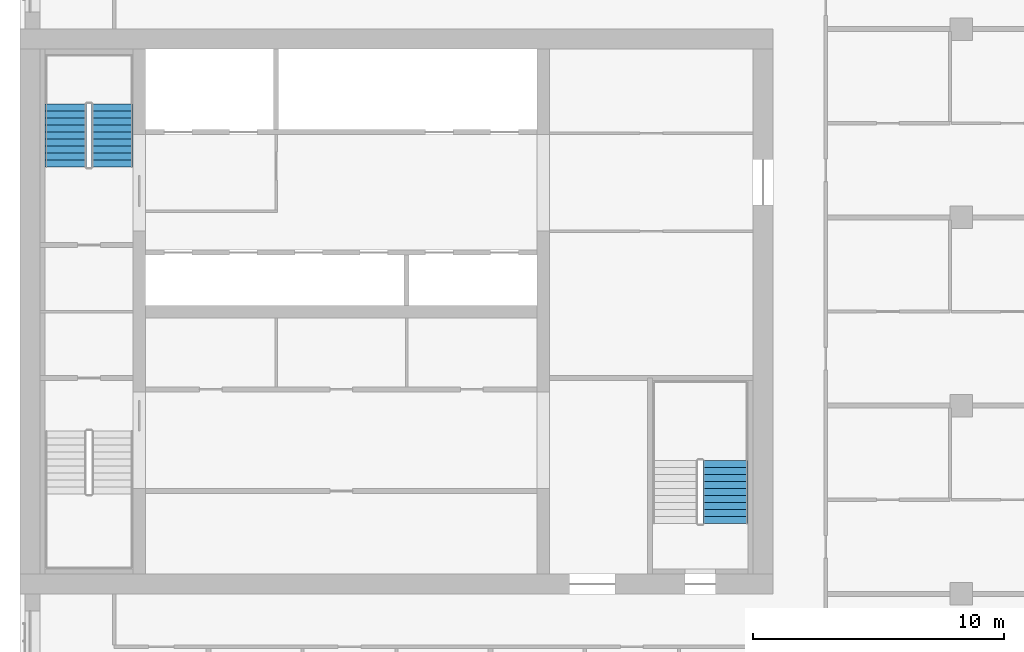
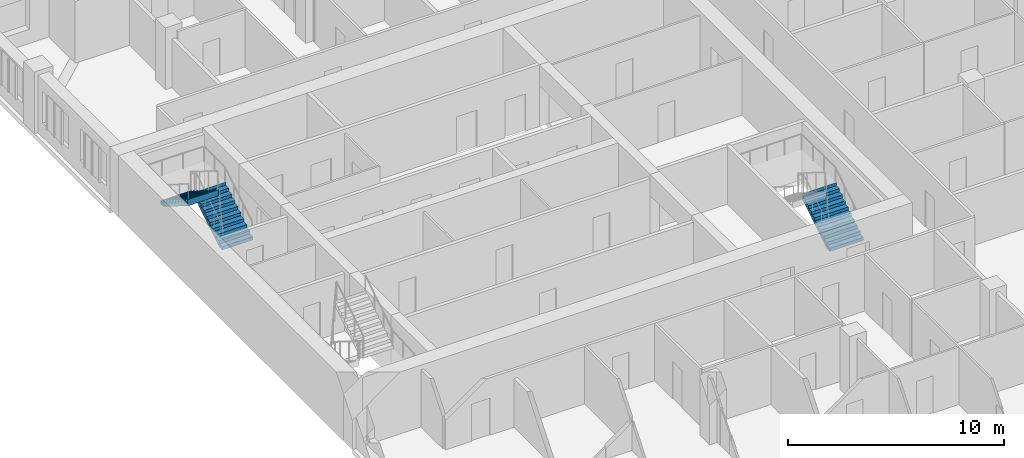
# One storey, part 13 of 14: 3 stair flights, 2 elements without a shape of their own.
"""IFC4 building model written with IfcOpenShell, lengths in metres."""

import ifcopenshell
import ifcopenshell.guid

model = None  # the IFC model being written
_history = None  # IfcOwnerHistory: only IFC2X3 demands one
_inside = {}  # id of a spatial element -> (the spatial element, [elements in it])
_under = {}  # id of a project, library or spatial element -> (it, [spatial elements below it])
_declared = {}  # id of a project -> (the project, [libraries it declares])
_typed = {}  # id of a type object -> (the type object, [elements of that type])
_made_of = {}  # id of a material, layer set ... -> (it, [elements and type objects made of it])


def new_model(schema):
    """Start an empty IFC model of exactly this schema.

    Asked for "IFC4X3", IfcOpenShell would pick the latest addendum, in which some entities
    have other attributes; the version numbers below select the first issue.
    IFC2X3 requires an IfcOwnerHistory on every rooted entity: one is made here for all.
    """
    global model, _history
    if schema == "IFC4X3":
        model = ifcopenshell.file(schema_version=(4, 3, 0, 0))
    else:
        model = ifcopenshell.file(schema=schema)
    _inside.clear()
    _under.clear()
    _declared.clear()
    _typed.clear()
    _made_of.clear()
    _history = None
    if model.schema == "IFC2X3":
        org = make("IfcOrganization", Name="unknown")
        user = make(
            "IfcPersonAndOrganization",
            ThePerson=make("IfcPerson", FamilyName="unknown"),
            TheOrganization=org,
        )
        app = make(
            "IfcApplication",
            ApplicationDeveloper=org,
            Version="unknown",
            ApplicationFullName="unknown",
            ApplicationIdentifier="unknown",
        )
        _history = make(
            "IfcOwnerHistory",
            OwningUser=user,
            OwningApplication=app,
            ChangeAction="ADDED",
            CreationDate=0,
        )
    return model


def make(cls, **values):
    """One entity of the class cls with the attributes given. An attribute that is None is left unset."""
    return model.create_entity(
        cls, **{name: value for name, value in values.items() if value is not None}
    )


def rooted(cls, **values):
    """An entity with a GlobalId (a new one), such as an element, a storey or a relation."""
    return make(cls, GlobalId=ifcopenshell.guid.new(), OwnerHistory=_history, **values)


def si_unit(unit_type, name, prefix=None):
    """IfcSIUnit, for example si_unit("LENGTHUNIT", "METRE", prefix="MILLI")."""
    return make("IfcSIUnit", UnitType=unit_type, Prefix=prefix, Name=name)


def assignment(units):
    """IfcUnitAssignment: the units of a project."""
    return None if units is None else make("IfcUnitAssignment", Units=units)


def point(xyz):
    """IfcCartesianPoint."""
    return None if xyz is None else make("IfcCartesianPoint", Coordinates=xyz)


def direction(xyz):
    """IfcDirection."""
    return None if xyz is None else make("IfcDirection", DirectionRatios=xyz)


def frame(location, z_axis=None, x_axis=None):
    """IfcAxis2Placement3D, a coordinate frame: its origin and axes. An axis left out is left unset."""
    return make(
        "IfcAxis2Placement3D",
        Location=point(location),
        Axis=direction(z_axis),
        RefDirection=direction(x_axis),
    )


def origin():
    """The frame at (0, 0, 0) with its axes left unset."""
    return frame((0.0, 0.0, 0.0))


def place(relative_to, where):
    """IfcLocalPlacement: puts the frame where relative to a parent placement (None: the world)."""
    return make(
        "IfcLocalPlacement", PlacementRelTo=relative_to, RelativePlacement=where
    )


def context(
    kind, dimensions, precision=None, world=None, true_north=None, identifier=None
):
    """IfcGeometricRepresentationContext, for example the 3D "Model" context."""
    return make(
        "IfcGeometricRepresentationContext",
        ContextIdentifier=identifier,
        ContextType=kind,
        CoordinateSpaceDimension=dimensions,
        Precision=precision,
        WorldCoordinateSystem=world,
        TrueNorth=true_north,
    )


def subcontext(parent, identifier, kind, view, scale=None):
    """IfcGeometricRepresentationSubContext, for example "Body" below "Model"."""
    return make(
        "IfcGeometricRepresentationSubContext",
        ContextIdentifier=identifier,
        ContextType=kind,
        ParentContext=parent,
        TargetScale=scale,
        TargetView=view,
    )


def project(units=None, contexts=None):
    """IfcProject with its units and contexts."""
    return rooted(
        "IfcProject",
        Name="project",
        RepresentationContexts=contexts,
        UnitsInContext=assignment(units),
    )


def spatial(cls, under=None, at=None, **own):
    """A site, building, storey or space (cls), placed at a placement, below another one or the project."""
    s = rooted(cls, ObjectPlacement=at, **own)
    if under is not None:
        _under.setdefault(under.id(), (under, []))[1].append(s)
    return s


def polyline(points):
    """IfcPolyline through the points."""
    return make("IfcPolyline", Points=[point(p) for p in points])


def outline(outer, holes=None, kind="AREA"):
    """IfcArbitraryClosedProfileDef: a profile drawn as a closed curve; with holes, ...WithVoids."""
    if holes is None:
        return make("IfcArbitraryClosedProfileDef", ProfileType=kind, OuterCurve=outer)
    return make(
        "IfcArbitraryProfileDefWithVoids",
        ProfileType=kind,
        OuterCurve=outer,
        InnerCurves=holes,
    )


def extrude(swept, where, along, depth):
    """IfcExtrudedAreaSolid: the profile swept, set in the frame where, extruded along a direction by depth."""
    return make(
        "IfcExtrudedAreaSolid",
        SweptArea=swept,
        Position=where,
        ExtrudedDirection=direction(along),
        Depth=depth,
    )


def shape(context_of_items, identifier, shape_type, items):
    """IfcShapeRepresentation: the items that make up one representation, for example the "Body"."""
    return make(
        "IfcShapeRepresentation",
        ContextOfItems=context_of_items,
        RepresentationIdentifier=identifier,
        RepresentationType=shape_type,
        Items=items,
    )


def material(Name=None, Category=None):
    """IfcMaterial."""
    return make("IfcMaterial", Name=Name, Category=Category)


def made_of(thing, what):
    """Note that an element or type object is made of a material, layer set ...; save() writes the relation."""
    if what is not None:
        _made_of.setdefault(what.id(), (what, []))[1].append(thing)
    return thing


def type_object(cls, material=None, **own):
    """A type object (cls), such as IfcWallType, which elements share."""
    return made_of(rooted(cls, **own), material)


def element(
    cls,
    number,
    at=None,
    inside=None,
    cuts=None,
    type_object=None,
    material=None,
    context=None,
    identifier="Body",
    shape_type=None,
    held_by="IfcProductDefinitionShape",
    body=None,
    shapes=None,
    **own,
):
    """One element of the class cls, such as IfcWall. Its Tag is "e" and its number.

    at: its placement. inside: the storey or other place that contains it. cuts: it is an
    opening in that element (IfcRelVoidsElement). A single representation is given by context,
    identifier, shape_type and body (its items); several are given by shapes. held_by: the class
    of the entity that holds the representations. save() writes the other relations.
    """
    e = rooted(cls, Tag="e%d" % number, ObjectPlacement=at, **own)
    if body is not None:
        shapes = [shape(context, identifier, shape_type, body)]
    if shapes is not None:
        e.Representation = make(held_by, Representations=shapes)
    if inside is not None:
        _inside.setdefault(inside.id(), (inside, []))[1].append(e)
    if cuts is not None:
        rooted(
            "IfcRelVoidsElement", RelatingBuildingElement=cuts, RelatedOpeningElement=e
        )
    if type_object is not None:
        _typed.setdefault(type_object.id(), (type_object, []))[1].append(e)
    return made_of(e, material)


def aggregate(whole, parts):
    """IfcRelAggregates: a whole, such as a stair, and the parts it consists of."""
    return rooted("IfcRelAggregates", RelatingObject=whole, RelatedObjects=parts)


def save(model, path):
    """Write the relations noted so far, then the file.

    IfcRelAggregates (storeys below a building ...), IfcRelContainedInSpatialStructure (elements
    in a storey), IfcRelDefinesByType, IfcRelAssociatesMaterial and IfcRelDeclares: one each for
    every whole, place, type object, material and project.
    """
    for whole, parts in _under.values():
        aggregate(whole, parts)
    for where, things in _inside.values():
        rooted(
            "IfcRelContainedInSpatialStructure",
            RelatedElements=things,
            RelatingStructure=where,
        )
    for kind, things in _typed.values():
        rooted("IfcRelDefinesByType", RelatedObjects=things, RelatingType=kind)
    for what, things in _made_of.values():
        rooted("IfcRelAssociatesMaterial", RelatedObjects=things, RelatingMaterial=what)
    for by, libraries in _declared.values():
        rooted("IfcRelDeclares", RelatingContext=by, RelatedDefinitions=libraries)
    model.write(path)


model = new_model("IFC4")

# Units and contexts
model_context = context("Model", 3, precision=1e-05, world=origin(), true_north=direction((0.0, 1.0)))
body_context = subcontext(model_context, "Body", "Model", "MODEL_VIEW")
ifc_project = project(units=[si_unit("LENGTHUNIT", "METRE"), si_unit("AREAUNIT", "SQUARE_METRE"), si_unit("VOLUMEUNIT", "CUBIC_METRE"), si_unit("PLANEANGLEUNIT", "RADIAN"), si_unit("MASSUNIT", "GRAM", prefix="KILO")], contexts=[model_context])

# Site, building, storey
site_placement = place(None, origin())
site = spatial("IfcSite", under=ifc_project, at=site_placement, CompositionType="ELEMENT")
building_placement = place(site_placement, origin())
building = spatial("IfcBuilding", under=site, at=building_placement, Name="Tamorin Gate", CompositionType="ELEMENT")
storey_placement = place(building_placement, frame((0.0, 0.0, 182.699951171875)))
storey = spatial("IfcBuildingStorey", under=building, at=storey_placement, Name="L44", CompositionType="ELEMENT", Elevation=182.699951171875)

# Stair, stair flights
ifc_material = material(Name="Concrete C40/50", Category="concrete")
stair_type = type_object("IfcStairType", Name="Exit stair", PredefinedType="HALF_TURN_STAIR", material=ifc_material)
stair_1_placement = place(storey_placement, origin())
stair_1 = element("IfcStair", 1, at=stair_1_placement, inside=storey, type_object=stair_type, Name="L44 stair ST2", PredefinedType="HALF_TURN_STAIR")
stair_flight_type = type_object("IfcStairFlightType", Name="Exit stair flight", PredefinedType="STRAIGHT", material=ifc_material)
stair_flight_1_placement = place(storey_placement, frame((33.675048828125, 77.0, 0.0), z_axis=(0.0, 0.0, 1.0), x_axis=(0.0, 1.0, 0.0)))
stair_flight_1 = element("IfcStairFlight", 2, at=stair_flight_1_placement, type_object=stair_flight_type, Name="ST2 flight 1", NumberOfRisers=10, NumberOfTreads=9, PredefinedType="STRAIGHT", RiserHeight=0.175, TreadLength=0.28, context=body_context, shape_type="SweptSolid", body=[
    extrude(outline(polyline([(-0.00048828125, 0.0), (-0.00048828125, 0.001708984375), (-0.00048828125, 0.00341796875), (-0.00048828125, 0.005126953125), (-0.00048828125, 0.0068359375), (-0.00048828125, 0.008544921875), (-0.00048828125, 0.010498046875), (-0.00048828125, 0.01220703125), (-0.00048828125, 0.013916015625), (-0.00048828125, 0.015625), (-0.00048828125, 0.017333984375), (-0.00048828125, 0.01904296875), (-0.00048828125, 0.020751953125), (-0.00048828125, 0.0224609375), (-0.00048828125, 0.024169921875), (-0.00048828125, 0.02587890625), (-0.00048828125, 0.02783203125), (-0.00048828125, 0.029541015625), (-0.00048828125, 0.03125), (-0.00048828125, 0.032958984375), (-0.00048828125, 0.03466796875), (-0.00048828125, 0.036376953125), (-0.00048828125, 0.0380859375), (-0.00048828125, 0.039794921875), (-0.00048828125, 0.04150390625), (-0.00048828125, 0.043212890625), (-0.00048828125, 0.045166015625), (-0.00048828125, 0.046875), (-0.00048828125, 0.048583984375), (-0.00048828125, 0.05029296875), (-0.00048828125, 0.052001953125), (-0.00048828125, 0.0537109375), (-0.00048828125, 0.055419921875), (-0.00048828125, 0.05712890625), (-0.00048828125, 0.058837890625), (-0.00048828125, 0.060546875), (-0.00048828125, 0.062255859375), (-0.00048828125, 0.064208984375), (-0.00048828125, 0.06591796875), (-0.00048828125, 0.067626953125), (-0.00048828125, 0.0693359375), (-0.00048828125, 0.071044921875), (-0.00048828125, 0.07275390625), (-0.00048828125, 0.074462890625), (-0.00048828125, 0.076171875), (-0.00048828125, 0.077880859375), (-0.00048828125, 0.07958984375), (-0.00048828125, 0.08154296875), (-0.00048828125, 0.083251953125), (-0.00048828125, 0.0849609375), (-0.00048828125, 0.086669921875), (-0.00048828125, 0.08837890625), (-0.00048828125, 0.090087890625), (-0.00048828125, 0.091796875), (-0.00048828125, 0.093505859375), (-0.00048828125, 0.09521484375), (-0.00048828125, 0.096923828125), (-0.00048828125, 0.098876953125), (-0.00048828125, 0.1005859375), (-0.00048828125, 0.102294921875), (-0.00048828125, 0.10400390625), (-0.00048828125, 0.105712890625), (-0.00048828125, 0.107421875), (-0.00048828125, 0.109130859375), (-0.00048828125, 0.11083984375), (-0.00048828125, 0.112548828125), (-0.00048828125, 0.1142578125), (-0.00048828125, 0.1162109375), (-0.00048828125, 0.117919921875), (-0.00048828125, 0.11962890625), (-0.00048828125, 0.121337890625), (-0.00048828125, 0.123046875), (-0.00048828125, 0.124755859375), (-0.00048828125, 0.12646484375), (-0.00048828125, 0.128173828125), (-0.00048828125, 0.1298828125), (-0.00048828125, 0.131591796875), (-0.00048828125, 0.13330078125), (-0.00048828125, 0.13525390625), (-0.00048828125, 0.136962890625), (-0.00048828125, 0.138671875), (-0.00048828125, 0.140380859375), (-0.00048828125, 0.14208984375), (-0.00048828125, 0.143798828125), (-0.00048828125, 0.1455078125), (-0.00048828125, 0.147216796875), (-0.00048828125, 0.14892578125), (-0.00048828125, 0.150634765625), (-0.00048828125, 0.152587890625), (-0.00048828125, 0.154296875), (-0.00048828125, 0.156005859375), (-0.00048828125, 0.15771484375), (-0.00048828125, 0.159423828125), (-0.00048828125, 0.1611328125), (-0.00048828125, 0.162841796875), (-0.00048828125, 0.16455078125), (-0.00048828125, 0.166259765625), (-0.00048828125, 0.16796875), (-0.00048828125, 0.169921875), (-0.00048828125, 0.171630859375), (-0.00048828125, 0.17333984375), (-0.00048828125, 0.175048828125), (0.280029296875, 0.175048828125), (0.280029296875, 0.35009765625), (0.56005859375, 0.35009765625), (0.56005859375, 0.52490234375), (0.840087890625, 0.52490234375), (0.840087890625, 0.699951171875), (1.1201171875, 0.699951171875), (1.1201171875, 0.875), (1.39990234375, 0.875), (1.39990234375, 1.050048828125), (1.679931640625, 1.050048828125), (1.679931640625, 1.22509765625), (1.9599609375, 1.22509765625), (1.9599609375, 1.39990234375), (2.239990234375, 1.39990234375), (2.239990234375, 1.574951171875), (2.52001953125, 1.574951171875), (2.52001953125, 1.75), (2.5205078125, 1.75), (2.5205078125, 1.74658203125), (2.5205078125, 1.742919921875), (2.5205078125, 1.739501953125), (2.5205078125, 1.736083984375), (2.5205078125, 1.732666015625), (2.5205078125, 1.72900390625), (2.5205078125, 1.7255859375), (2.5205078125, 1.72216796875), (2.5205078125, 1.71875), (2.5205078125, 1.715087890625), (2.5205078125, 1.711669921875), (2.5205078125, 1.708251953125), (2.5205078125, 1.704833984375), (2.5205078125, 1.701171875), (2.5205078125, 1.69775390625), (2.5205078125, 1.6943359375), (2.5205078125, 1.690673828125), (2.5205078125, 1.687255859375), (2.5205078125, 1.683837890625), (2.5205078125, 1.680419921875), (2.5205078125, 1.6767578125), (2.5205078125, 1.67333984375), (2.5205078125, 1.669921875), (2.5205078125, 1.66650390625), (2.5205078125, 1.662841796875), (2.5205078125, 1.659423828125), (2.5205078125, 1.656005859375), (2.5205078125, 1.652587890625), (2.5205078125, 1.64892578125), (2.5205078125, 1.6455078125), (2.5205078125, 1.64208984375), (2.5205078125, 1.638427734375), (2.5205078125, 1.635009765625), (2.5205078125, 1.631591796875), (2.5205078125, 1.628173828125), (2.5205078125, 1.62451171875), (2.5205078125, 1.62109375), (2.5205078125, 1.61767578125), (2.5205078125, 1.6142578125), (2.5205078125, 1.610595703125), (2.5205078125, 1.607177734375), (2.5205078125, 1.603759765625), (2.5205078125, 1.600341796875), (2.5205078125, 1.5966796875), (2.5205078125, 1.59326171875), (2.5205078125, 1.58984375), (2.5205078125, 1.58642578125), (2.5205078125, 1.582763671875), (2.5205078125, 1.579345703125), (2.5205078125, 1.575927734375), (2.5205078125, 1.572265625), (2.5205078125, 1.56884765625), (2.5205078125, 1.5654296875), (2.5205078125, 1.56201171875), (2.5205078125, 1.558349609375), (2.5205078125, 1.554931640625), (2.5205078125, 1.551513671875), (2.5205078125, 1.548095703125), (2.5205078125, 1.54443359375), (2.5205078125, 1.541015625), (2.5205078125, 1.53759765625), (2.5205078125, 1.5341796875), (2.5205078125, 1.530517578125), (2.5205078125, 1.527099609375), (2.5205078125, 1.523681640625), (2.5205078125, 1.52001953125), (2.5205078125, 1.5166015625), (2.5205078125, 1.51318359375), (2.5205078125, 1.509765625), (2.5205078125, 1.506103515625), (2.5205078125, 1.502685546875), (2.5205078125, 1.499267578125), (2.5205078125, 1.495849609375), (2.5205078125, 1.4921875), (2.5205078125, 1.48876953125), (2.5205078125, 1.4853515625), (2.5205078125, 1.48193359375), (2.5205078125, 1.478271484375), (2.5205078125, 1.474853515625), (2.5205078125, 1.471435546875), (2.5205078125, 1.4677734375), (2.5205078125, 1.46435546875), (2.5205078125, 1.4609375), (2.5205078125, 1.45751953125), (2.5205078125, 1.453857421875), (2.5205078125, 1.450439453125), (2.5205078125, 1.447021484375), (2.5205078125, 1.443603515625), (2.5205078125, 1.43994140625), (2.5205078125, 1.4365234375), (2.5205078125, 1.43310546875), (2.5205078125, 1.4296875), (2.5205078125, 1.426025390625), (2.5205078125, 1.422607421875), (2.5205078125, 1.419189453125), (2.5205078125, 1.41552734375), (2.5205078125, 1.412109375), (2.5205078125, 1.40869140625), (2.5205078125, 1.4052734375), (2.5205078125, 1.401611328125), (2.5205078125, 1.398193359375), (2.52001953125, 1.398193359375), (0.28271484375, 0.0), (-0.00048828125, 0.0)])), frame((0.0, 0.824951171875, 0.0), z_axis=(0.0, -1.0, 0.0), x_axis=(1.0, 0.0, 0.0)), (0.0, 0.0, 1.0), 1.64990234375),
])
stair_flight_2_placement = place(storey_placement, frame((31.824951171875, 79.52001953125, 1.75), z_axis=(0.0, 0.0, 1.0), x_axis=(0.0, -1.0, 0.0)))
stair_flight_2 = element("IfcStairFlight", 3, at=stair_flight_2_placement, type_object=stair_flight_type, Name="ST2 flight 2", NumberOfRisers=10, NumberOfTreads=9, PredefinedType="STRAIGHT", RiserHeight=0.175, TreadLength=0.28, context=body_context, shape_type="SweptSolid", body=[
    extrude(outline(polyline([(-0.00048828125, 0.0), (-0.00048828125, 0.001708984375), (-0.00048828125, 0.00341796875), (-0.00048828125, 0.005126953125), (-0.00048828125, 0.0068359375), (-0.00048828125, 0.008544921875), (-0.00048828125, 0.010498046875), (-0.00048828125, 0.01220703125), (-0.00048828125, 0.013916015625), (-0.00048828125, 0.015625), (-0.00048828125, 0.017333984375), (-0.00048828125, 0.01904296875), (-0.00048828125, 0.020751953125), (-0.00048828125, 0.0224609375), (-0.00048828125, 0.024169921875), (-0.00048828125, 0.02587890625), (-0.00048828125, 0.02783203125), (-0.00048828125, 0.029541015625), (-0.00048828125, 0.03125), (-0.00048828125, 0.032958984375), (-0.00048828125, 0.03466796875), (-0.00048828125, 0.036376953125), (-0.00048828125, 0.0380859375), (-0.00048828125, 0.039794921875), (-0.00048828125, 0.04150390625), (-0.00048828125, 0.043212890625), (-0.00048828125, 0.045166015625), (-0.00048828125, 0.046875), (-0.00048828125, 0.048583984375), (-0.00048828125, 0.05029296875), (-0.00048828125, 0.052001953125), (-0.00048828125, 0.0537109375), (-0.00048828125, 0.055419921875), (-0.00048828125, 0.05712890625), (-0.00048828125, 0.058837890625), (-0.00048828125, 0.060546875), (-0.00048828125, 0.062255859375), (-0.00048828125, 0.064208984375), (-0.00048828125, 0.06591796875), (-0.00048828125, 0.067626953125), (-0.00048828125, 0.0693359375), (-0.00048828125, 0.071044921875), (-0.00048828125, 0.07275390625), (-0.00048828125, 0.074462890625), (-0.00048828125, 0.076171875), (-0.00048828125, 0.077880859375), (-0.00048828125, 0.07958984375), (-0.00048828125, 0.08154296875), (-0.00048828125, 0.083251953125), (-0.00048828125, 0.0849609375), (-0.00048828125, 0.086669921875), (-0.00048828125, 0.08837890625), (-0.00048828125, 0.090087890625), (-0.00048828125, 0.091796875), (-0.00048828125, 0.093505859375), (-0.00048828125, 0.09521484375), (-0.00048828125, 0.096923828125), (-0.00048828125, 0.098876953125), (-0.00048828125, 0.1005859375), (-0.00048828125, 0.102294921875), (-0.00048828125, 0.10400390625), (-0.00048828125, 0.105712890625), (-0.00048828125, 0.107421875), (-0.00048828125, 0.109130859375), (-0.00048828125, 0.11083984375), (-0.00048828125, 0.112548828125), (-0.00048828125, 0.1142578125), (-0.00048828125, 0.1162109375), (-0.00048828125, 0.117919921875), (-0.00048828125, 0.11962890625), (-0.00048828125, 0.121337890625), (-0.00048828125, 0.123046875), (-0.00048828125, 0.124755859375), (-0.00048828125, 0.12646484375), (-0.00048828125, 0.128173828125), (-0.00048828125, 0.1298828125), (-0.00048828125, 0.131591796875), (-0.00048828125, 0.13330078125), (-0.00048828125, 0.13525390625), (-0.00048828125, 0.136962890625), (-0.00048828125, 0.138671875), (-0.00048828125, 0.140380859375), (-0.00048828125, 0.14208984375), (-0.00048828125, 0.143798828125), (-0.00048828125, 0.1455078125), (-0.00048828125, 0.147216796875), (-0.00048828125, 0.14892578125), (-0.00048828125, 0.150634765625), (-0.00048828125, 0.152587890625), (-0.00048828125, 0.154296875), (-0.00048828125, 0.156005859375), (-0.00048828125, 0.15771484375), (-0.00048828125, 0.159423828125), (-0.00048828125, 0.1611328125), (-0.00048828125, 0.162841796875), (-0.00048828125, 0.16455078125), (-0.00048828125, 0.166259765625), (-0.00048828125, 0.16796875), (-0.00048828125, 0.169921875), (-0.00048828125, 0.171630859375), (-0.00048828125, 0.17333984375), (-0.00048828125, 0.175048828125), (0.280029296875, 0.175048828125), (0.280029296875, 0.35009765625), (0.56005859375, 0.35009765625), (0.56005859375, 0.52490234375), (0.840087890625, 0.52490234375), (0.840087890625, 0.699951171875), (1.1201171875, 0.699951171875), (1.1201171875, 0.875), (1.39990234375, 0.875), (1.39990234375, 1.050048828125), (1.679931640625, 1.050048828125), (1.679931640625, 1.22509765625), (1.9599609375, 1.22509765625), (1.9599609375, 1.39990234375), (2.239990234375, 1.39990234375), (2.239990234375, 1.574951171875), (2.52001953125, 1.574951171875), (2.52001953125, 1.75), (2.5205078125, 1.75), (2.5205078125, 1.74658203125), (2.5205078125, 1.742919921875), (2.5205078125, 1.739501953125), (2.5205078125, 1.736083984375), (2.5205078125, 1.732666015625), (2.5205078125, 1.72900390625), (2.5205078125, 1.7255859375), (2.5205078125, 1.72216796875), (2.5205078125, 1.71875), (2.5205078125, 1.715087890625), (2.5205078125, 1.711669921875), (2.5205078125, 1.708251953125), (2.5205078125, 1.704833984375), (2.5205078125, 1.701171875), (2.5205078125, 1.69775390625), (2.5205078125, 1.6943359375), (2.5205078125, 1.690673828125), (2.5205078125, 1.687255859375), (2.5205078125, 1.683837890625), (2.5205078125, 1.680419921875), (2.5205078125, 1.6767578125), (2.5205078125, 1.67333984375), (2.5205078125, 1.669921875), (2.5205078125, 1.66650390625), (2.5205078125, 1.662841796875), (2.5205078125, 1.659423828125), (2.5205078125, 1.656005859375), (2.5205078125, 1.652587890625), (2.5205078125, 1.64892578125), (2.5205078125, 1.6455078125), (2.5205078125, 1.64208984375), (2.5205078125, 1.638427734375), (2.5205078125, 1.635009765625), (2.5205078125, 1.631591796875), (2.5205078125, 1.628173828125), (2.5205078125, 1.62451171875), (2.5205078125, 1.62109375), (2.5205078125, 1.61767578125), (2.5205078125, 1.6142578125), (2.5205078125, 1.610595703125), (2.5205078125, 1.607177734375), (2.5205078125, 1.603759765625), (2.5205078125, 1.600341796875), (2.5205078125, 1.5966796875), (2.5205078125, 1.59326171875), (2.5205078125, 1.58984375), (2.5205078125, 1.58642578125), (2.5205078125, 1.582763671875), (2.5205078125, 1.579345703125), (2.5205078125, 1.575927734375), (2.5205078125, 1.572265625), (2.5205078125, 1.56884765625), (2.5205078125, 1.5654296875), (2.5205078125, 1.56201171875), (2.5205078125, 1.558349609375), (2.5205078125, 1.554931640625), (2.5205078125, 1.551513671875), (2.5205078125, 1.548095703125), (2.5205078125, 1.54443359375), (2.5205078125, 1.541015625), (2.5205078125, 1.53759765625), (2.5205078125, 1.5341796875), (2.5205078125, 1.530517578125), (2.5205078125, 1.527099609375), (2.5205078125, 1.523681640625), (2.5205078125, 1.52001953125), (2.5205078125, 1.5166015625), (2.5205078125, 1.51318359375), (2.5205078125, 1.509765625), (2.5205078125, 1.506103515625), (2.5205078125, 1.502685546875), (2.5205078125, 1.499267578125), (2.5205078125, 1.495849609375), (2.5205078125, 1.4921875), (2.5205078125, 1.48876953125), (2.5205078125, 1.4853515625), (2.5205078125, 1.48193359375), (2.5205078125, 1.478271484375), (2.5205078125, 1.474853515625), (2.5205078125, 1.471435546875), (2.5205078125, 1.4677734375), (2.5205078125, 1.46435546875), (2.5205078125, 1.4609375), (2.5205078125, 1.45751953125), (2.5205078125, 1.453857421875), (2.5205078125, 1.450439453125), (2.5205078125, 1.447021484375), (2.5205078125, 1.443603515625), (2.5205078125, 1.43994140625), (2.5205078125, 1.4365234375), (2.5205078125, 1.43310546875), (2.5205078125, 1.4296875), (2.5205078125, 1.426025390625), (2.5205078125, 1.422607421875), (2.5205078125, 1.419189453125), (2.5205078125, 1.41552734375), (2.5205078125, 1.412109375), (2.5205078125, 1.40869140625), (2.5205078125, 1.4052734375), (2.5205078125, 1.401611328125), (2.5205078125, 1.398193359375), (2.52001953125, 1.398193359375), (0.28271484375, 0.0), (-0.00048828125, 0.0)])), frame((0.0, 0.824951171875, 0.0), z_axis=(0.0, -1.0, 0.0), x_axis=(1.0, 0.0, 0.0)), (0.0, 0.0, 1.0), 1.64990234375),
])
aggregate(stair_1, [stair_flight_1, stair_flight_2])

# Stair, stair flight
stair_2_placement = place(storey_placement, origin())
stair_2 = element("IfcStair", 4, at=stair_2_placement, inside=storey, type_object=stair_type, Name="L44 stair ST3", PredefinedType="HALF_TURN_STAIR")
stair_flight_3_placement = place(storey_placement, frame((58.10009765625, 62.800048828125, 0.0), z_axis=(0.0, 0.0, 1.0), x_axis=(0.0, 1.0, 0.0)))
stair_flight_3 = element("IfcStairFlight", 5, at=stair_flight_3_placement, type_object=stair_flight_type, Name="ST3 flight 1", NumberOfRisers=10, NumberOfTreads=9, PredefinedType="STRAIGHT", RiserHeight=0.175, TreadLength=0.28, context=body_context, shape_type="SweptSolid", body=[
    extrude(outline(polyline([(-0.00048828125, 0.0), (-0.00048828125, 0.001708984375), (-0.00048828125, 0.00341796875), (-0.00048828125, 0.005126953125), (-0.00048828125, 0.0068359375), (-0.00048828125, 0.008544921875), (-0.00048828125, 0.010498046875), (-0.00048828125, 0.01220703125), (-0.00048828125, 0.013916015625), (-0.00048828125, 0.015625), (-0.00048828125, 0.017333984375), (-0.00048828125, 0.01904296875), (-0.00048828125, 0.020751953125), (-0.00048828125, 0.0224609375), (-0.00048828125, 0.024169921875), (-0.00048828125, 0.02587890625), (-0.00048828125, 0.02783203125), (-0.00048828125, 0.029541015625), (-0.00048828125, 0.03125), (-0.00048828125, 0.032958984375), (-0.00048828125, 0.03466796875), (-0.00048828125, 0.036376953125), (-0.00048828125, 0.0380859375), (-0.00048828125, 0.039794921875), (-0.00048828125, 0.04150390625), (-0.00048828125, 0.043212890625), (-0.00048828125, 0.045166015625), (-0.00048828125, 0.046875), (-0.00048828125, 0.048583984375), (-0.00048828125, 0.05029296875), (-0.00048828125, 0.052001953125), (-0.00048828125, 0.0537109375), (-0.00048828125, 0.055419921875), (-0.00048828125, 0.05712890625), (-0.00048828125, 0.058837890625), (-0.00048828125, 0.060546875), (-0.00048828125, 0.062255859375), (-0.00048828125, 0.064208984375), (-0.00048828125, 0.06591796875), (-0.00048828125, 0.067626953125), (-0.00048828125, 0.0693359375), (-0.00048828125, 0.071044921875), (-0.00048828125, 0.07275390625), (-0.00048828125, 0.074462890625), (-0.00048828125, 0.076171875), (-0.00048828125, 0.077880859375), (-0.00048828125, 0.07958984375), (-0.00048828125, 0.08154296875), (-0.00048828125, 0.083251953125), (-0.00048828125, 0.0849609375), (-0.00048828125, 0.086669921875), (-0.00048828125, 0.08837890625), (-0.00048828125, 0.090087890625), (-0.00048828125, 0.091796875), (-0.00048828125, 0.093505859375), (-0.00048828125, 0.09521484375), (-0.00048828125, 0.096923828125), (-0.00048828125, 0.098876953125), (-0.00048828125, 0.1005859375), (-0.00048828125, 0.102294921875), (-0.00048828125, 0.10400390625), (-0.00048828125, 0.105712890625), (-0.00048828125, 0.107421875), (-0.00048828125, 0.109130859375), (-0.00048828125, 0.11083984375), (-0.00048828125, 0.112548828125), (-0.00048828125, 0.1142578125), (-0.00048828125, 0.1162109375), (-0.00048828125, 0.117919921875), (-0.00048828125, 0.11962890625), (-0.00048828125, 0.121337890625), (-0.00048828125, 0.123046875), (-0.00048828125, 0.124755859375), (-0.00048828125, 0.12646484375), (-0.00048828125, 0.128173828125), (-0.00048828125, 0.1298828125), (-0.00048828125, 0.131591796875), (-0.00048828125, 0.13330078125), (-0.00048828125, 0.13525390625), (-0.00048828125, 0.136962890625), (-0.00048828125, 0.138671875), (-0.00048828125, 0.140380859375), (-0.00048828125, 0.14208984375), (-0.00048828125, 0.143798828125), (-0.00048828125, 0.1455078125), (-0.00048828125, 0.147216796875), (-0.00048828125, 0.14892578125), (-0.00048828125, 0.150634765625), (-0.00048828125, 0.152587890625), (-0.00048828125, 0.154296875), (-0.00048828125, 0.156005859375), (-0.00048828125, 0.15771484375), (-0.00048828125, 0.159423828125), (-0.00048828125, 0.1611328125), (-0.00048828125, 0.162841796875), (-0.00048828125, 0.16455078125), (-0.00048828125, 0.166259765625), (-0.00048828125, 0.16796875), (-0.00048828125, 0.169921875), (-0.00048828125, 0.171630859375), (-0.00048828125, 0.17333984375), (-0.00048828125, 0.175048828125), (0.280029296875, 0.175048828125), (0.280029296875, 0.35009765625), (0.56005859375, 0.35009765625), (0.56005859375, 0.52490234375), (0.840087890625, 0.52490234375), (0.840087890625, 0.699951171875), (1.1201171875, 0.699951171875), (1.1201171875, 0.875), (1.39990234375, 0.875), (1.39990234375, 1.050048828125), (1.679931640625, 1.050048828125), (1.679931640625, 1.22509765625), (1.9599609375, 1.22509765625), (1.9599609375, 1.39990234375), (2.239990234375, 1.39990234375), (2.239990234375, 1.574951171875), (2.52001953125, 1.574951171875), (2.52001953125, 1.75), (2.5205078125, 1.75), (2.5205078125, 1.74658203125), (2.5205078125, 1.742919921875), (2.5205078125, 1.739501953125), (2.5205078125, 1.736083984375), (2.5205078125, 1.732666015625), (2.5205078125, 1.72900390625), (2.5205078125, 1.7255859375), (2.5205078125, 1.72216796875), (2.5205078125, 1.71875), (2.5205078125, 1.715087890625), (2.5205078125, 1.711669921875), (2.5205078125, 1.708251953125), (2.5205078125, 1.704833984375), (2.5205078125, 1.701171875), (2.5205078125, 1.69775390625), (2.5205078125, 1.6943359375), (2.5205078125, 1.690673828125), (2.5205078125, 1.687255859375), (2.5205078125, 1.683837890625), (2.5205078125, 1.680419921875), (2.5205078125, 1.6767578125), (2.5205078125, 1.67333984375), (2.5205078125, 1.669921875), (2.5205078125, 1.66650390625), (2.5205078125, 1.662841796875), (2.5205078125, 1.659423828125), (2.5205078125, 1.656005859375), (2.5205078125, 1.652587890625), (2.5205078125, 1.64892578125), (2.5205078125, 1.6455078125), (2.5205078125, 1.64208984375), (2.5205078125, 1.638427734375), (2.5205078125, 1.635009765625), (2.5205078125, 1.631591796875), (2.5205078125, 1.628173828125), (2.5205078125, 1.62451171875), (2.5205078125, 1.62109375), (2.5205078125, 1.61767578125), (2.5205078125, 1.6142578125), (2.5205078125, 1.610595703125), (2.5205078125, 1.607177734375), (2.5205078125, 1.603759765625), (2.5205078125, 1.600341796875), (2.5205078125, 1.5966796875), (2.5205078125, 1.59326171875), (2.5205078125, 1.58984375), (2.5205078125, 1.58642578125), (2.5205078125, 1.582763671875), (2.5205078125, 1.579345703125), (2.5205078125, 1.575927734375), (2.5205078125, 1.572265625), (2.5205078125, 1.56884765625), (2.5205078125, 1.5654296875), (2.5205078125, 1.56201171875), (2.5205078125, 1.558349609375), (2.5205078125, 1.554931640625), (2.5205078125, 1.551513671875), (2.5205078125, 1.548095703125), (2.5205078125, 1.54443359375), (2.5205078125, 1.541015625), (2.5205078125, 1.53759765625), (2.5205078125, 1.5341796875), (2.5205078125, 1.530517578125), (2.5205078125, 1.527099609375), (2.5205078125, 1.523681640625), (2.5205078125, 1.52001953125), (2.5205078125, 1.5166015625), (2.5205078125, 1.51318359375), (2.5205078125, 1.509765625), (2.5205078125, 1.506103515625), (2.5205078125, 1.502685546875), (2.5205078125, 1.499267578125), (2.5205078125, 1.495849609375), (2.5205078125, 1.4921875), (2.5205078125, 1.48876953125), (2.5205078125, 1.4853515625), (2.5205078125, 1.48193359375), (2.5205078125, 1.478271484375), (2.5205078125, 1.474853515625), (2.5205078125, 1.471435546875), (2.5205078125, 1.4677734375), (2.5205078125, 1.46435546875), (2.5205078125, 1.4609375), (2.5205078125, 1.45751953125), (2.5205078125, 1.453857421875), (2.5205078125, 1.450439453125), (2.5205078125, 1.447021484375), (2.5205078125, 1.443603515625), (2.5205078125, 1.43994140625), (2.5205078125, 1.4365234375), (2.5205078125, 1.43310546875), (2.5205078125, 1.4296875), (2.5205078125, 1.426025390625), (2.5205078125, 1.422607421875), (2.5205078125, 1.419189453125), (2.5205078125, 1.41552734375), (2.5205078125, 1.412109375), (2.5205078125, 1.40869140625), (2.5205078125, 1.4052734375), (2.5205078125, 1.401611328125), (2.5205078125, 1.398193359375), (2.52001953125, 1.398193359375), (0.28271484375, 0.0), (-0.00048828125, 0.0)])), frame((0.0, 0.89990234375, 0.0), z_axis=(0.0, -1.0, 0.0), x_axis=(1.0, 0.0, 0.0)), (0.0, 0.0, 1.0), 1.800048828125),
])
aggregate(stair_2, [stair_flight_3])

save(model, "model.ifc")
